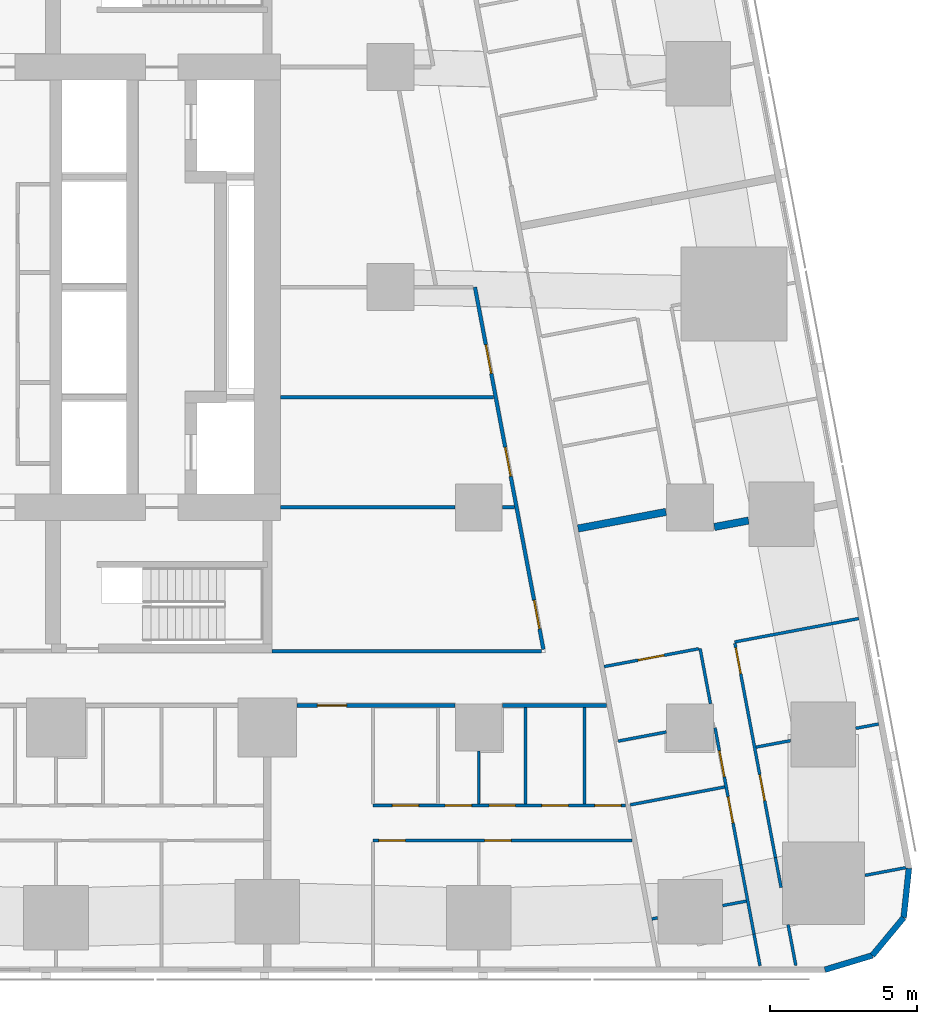
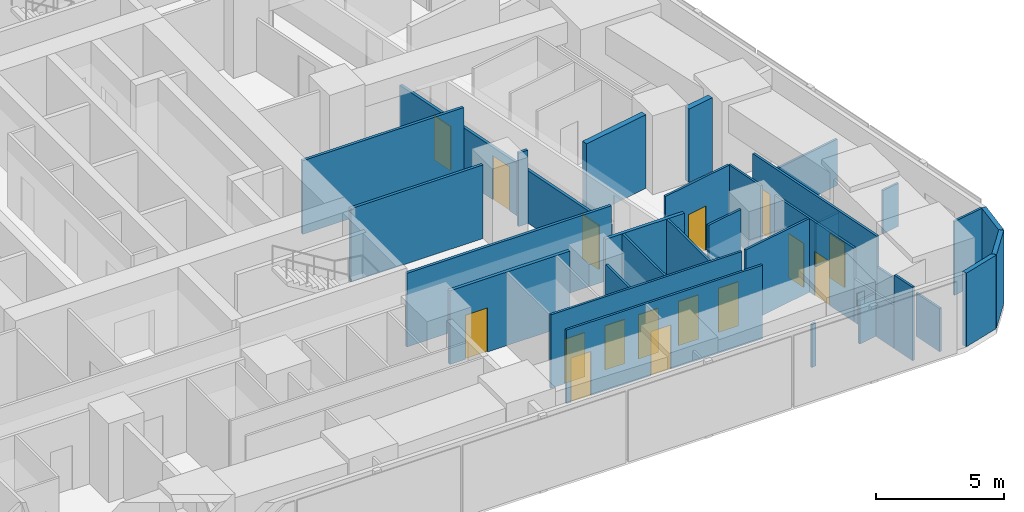
# One storey, part 6 of 15: 33 walls, 16 doors, 16 openings.
"""IFC4 building model written with IfcOpenShell, lengths in metres."""

from ifc_helpers import new_model, si_unit, direction, frame, frame_2d, origin, place, context, subcontext, project, spatial, rectangle, extrude, material, layer, layer_set, type_object, element, fill, save


model = new_model("IFC4")

# Units and contexts
model_context = context("Model", 3, precision=1e-05, world=origin(), true_north=direction((0.0, 1.0)))
body_context = subcontext(model_context, "Body", "Model", "MODEL_VIEW")
ifc_project = project(units=[si_unit("LENGTHUNIT", "METRE"), si_unit("AREAUNIT", "SQUARE_METRE"), si_unit("VOLUMEUNIT", "CUBIC_METRE"), si_unit("PLANEANGLEUNIT", "RADIAN"), si_unit("MASSUNIT", "GRAM", prefix="KILO")], contexts=[model_context])

# Site, building, storey
site_placement = place(None, origin())
site = spatial("IfcSite", under=ifc_project, at=site_placement, CompositionType="ELEMENT")
building_placement = place(site_placement, origin())
building = spatial("IfcBuilding", under=site, at=building_placement, Name="Sheger Commons Tower", CompositionType="ELEMENT")
storey_placement = place(building_placement, frame((0.0, 0.0, 77.89990234375)))
storey = spatial("IfcBuildingStorey", under=building, at=storey_placement, Name="L19", CompositionType="ELEMENT", Elevation=77.89990234375)

# Wall
ifc_material_1 = material(Name="Hollow concrete block masonry, skimmed both sides", Category="masonry")
ifc_layer_1 = layer(ifc_material_1, 0.14990234375)
ifc_layer_set_1 = layer_set([ifc_layer_1], Name="CORRIDOR WALL 150")
wall_type_1 = type_object("IfcWallType", Name="CORRIDOR WALL 150", PredefinedType="SOLIDWALL", material=ifc_layer_set_1)
wall_1_placement = place(storey_placement, frame((40.35595703125, 8.25, 0.0), z_axis=(0.0, 0.0, 1.0), x_axis=(-1.0, 0.0, 0.0)))
element("IfcWall", 1, at=wall_1_placement, inside=storey, type_object=wall_type_1, Name="Corridor wall L19", PredefinedType="SOLIDWALL", context=body_context, shape_type="SweptSolid", body=[
    extrude(rectangle(XDim=3.554931640625, YDim=0.14990234375, at=frame_2d((1.77734375, 0.0))), origin(), (0.0, 0.0, 1.0), 3.5),
])

# Wall, opening, door
wall_2_placement = place(storey_placement, frame((35.198974609375, 8.25, 0.0), z_axis=(0.0, 0.0, 1.0), x_axis=(-1.0, 0.0, 0.0)))
wall_2 = element("IfcWall", 2, at=wall_2_placement, inside=storey, type_object=wall_type_1, Name="Corridor wall L19", PredefinedType="SOLIDWALL", context=body_context, shape_type="SweptSolid", body=[
    extrude(rectangle(XDim=5.39794921875, YDim=0.14990234375, at=frame_2d((2.698974609375, 0.0))), origin(), (0.0, 0.0, 1.0), 3.5),
])
opening_1_placement = place(wall_2_placement, frame((3.698974609375, 0.0, 0.0)))
opening_1 = element("IfcOpeningElement", 3, at=opening_1_placement, cuts=wall_2, Name="Opening D1", PredefinedType="OPENING", context=body_context, shape_type="SweptSolid", body=[
    extrude(rectangle(XDim=1.0, YDim=2.10009765625, at=frame_2d((0.5, 1.050048828125))), frame((0.0, 0.0849609375, 0.0), z_axis=(0.0, -1.0, 0.0), x_axis=(1.0, 0.0, 0.0)), (0.0, 0.0, 1.0), 0.169921875),
])
ifc_material_2 = material(Name="Steel door set, fire rated", Category="steel")
door_type_1 = type_object("IfcDoorType", Name="FLAT ENTRANCE DOOR 1000x2100", OperationType="NOTDEFINED", PredefinedType="DOOR", material=ifc_material_2)
door_1_placement = place(opening_1_placement, origin())
door_1 = element("IfcDoor", 4, at=door_1_placement, inside=storey, type_object=door_type_1, Name="Flat entrance door", OperationType="SINGLE_SWING_RIGHT", OverallHeight=2.10009765625, OverallWidth=1.0, PredefinedType="DOOR", context=body_context, shape_type="SweptSolid", body=[
    extrude(rectangle(XDim=1.0, YDim=2.10009765625, at=frame_2d((0.5, 1.050048828125))), frame((0.0, 0.02490234375, 0.0), z_axis=(0.0, -1.0, 0.0), x_axis=(1.0, 0.0, 0.0)), (0.0, 0.0, 1.0), 0.050048828125),
])
fill(opening_1, door_1)

# Walls
ifc_material_3 = material(Name="Dense concrete block masonry, plastered both sides (separating wall between flats)", Category="masonry")
ifc_layer_2 = layer(ifc_material_3, 0.25)
ifc_layer_set_2 = layer_set([ifc_layer_2], Name="DEMISING WALL 250")
wall_type_2 = type_object("IfcWallType", Name="DEMISING WALL 250", PredefinedType="SOLIDWALL", material=ifc_layer_set_2)
wall_3_placement = place(storey_placement, frame((45.18994140625, 14.550048828125, 0.0), z_axis=(0.0, 0.0, 1.0), x_axis=(-0.982666604435, -0.185381618634, 0.0)))
element("IfcWall", 5, at=wall_3_placement, inside=storey, type_object=wall_type_2, Name="Demising wall L19", PredefinedType="SOLIDWALL", context=body_context, shape_type="SweptSolid", body=[
    extrude(rectangle(XDim=1.1865234375, YDim=0.25, at=frame_2d((0.59326171875, 0.0))), origin(), (0.0, 0.0, 1.0), 3.5),
])
wall_4_placement = place(storey_placement, frame((42.3759765625, 14.843994140625, 0.0), z_axis=(0.0, 0.0, 1.0), x_axis=(-0.982636286056, -0.185542257522, 0.0)))
element("IfcWall", 6, at=wall_4_placement, inside=storey, type_object=wall_type_2, Name="Demising wall L19", PredefinedType="SOLIDWALL", context=body_context, shape_type="SweptSolid", body=[
    extrude(rectangle(XDim=3.044921875, YDim=0.25, at=frame_2d((1.5224609375, 0.0))), origin(), (0.0, 0.0, 1.0), 3.5),
])
ifc_material_4 = material(Name="Rendered concrete block masonry, dark grey", Category="masonry")
ifc_layer_3 = layer(ifc_material_4, 0.199951171875)
ifc_layer_set_3 = layer_set([ifc_layer_3], Name="FACADE WALL 200")
wall_type_3 = type_object("IfcWallType", Name="FACADE WALL 200", PredefinedType="SOLIDWALL", material=ifc_layer_set_3)
wall_5_placement = place(storey_placement, frame((47.791015625, -0.75, 0.0), z_axis=(0.0, 0.0, 1.0), x_axis=(0.957455232626, 0.288581838509, 0.0)))
element("IfcWall", 7, at=wall_5_placement, inside=storey, type_object=wall_type_3, Name="Facade wall L19", PredefinedType="SOLIDWALL", context=body_context, shape_type="SweptSolid", body=[
    extrude(rectangle(XDim=1.687744140625, YDim=0.199951171875, at=frame_2d((0.84375, 0.0))), origin(), (0.0, 0.0, 1.0), 3.5),
])
wall_6_placement = place(storey_placement, frame((49.406982421875, -0.262939453125, 0.0), z_axis=(0.0, 0.0, 1.0), x_axis=(0.638042593423, 0.770001070764, 0.0)))
element("IfcWall", 8, at=wall_6_placement, inside=storey, type_object=wall_type_3, Name="Facade wall L19", PredefinedType="SOLIDWALL", context=body_context, shape_type="SweptSolid", body=[
    extrude(rectangle(XDim=1.672607421875, YDim=0.199951171875, at=frame_2d((0.83642578125, 0.0))), origin(), (0.0, 0.0, 1.0), 3.5),
])
wall_7_placement = place(storey_placement, frame((50.47412109375, 1.02490234375, 0.0), z_axis=(0.0, 0.0, 1.0), x_axis=(0.106047815515, 0.994361031429, 0.0)))
element("IfcWall", 9, at=wall_7_placement, inside=storey, type_object=wall_type_3, Name="Facade wall L19", PredefinedType="SOLIDWALL", context=body_context, shape_type="SweptSolid", body=[
    extrude(rectangle(XDim=1.6875, YDim=0.199951171875, at=frame_2d((0.84375, 0.0))), origin(), (0.0, 0.0, 1.0), 3.5),
])

# Wall, openings, doors
ifc_material_5 = material(Name="Gypsum board on steel studs", Category="steel")
ifc_layer_4 = layer(ifc_material_5, 0.10009765625)
ifc_layer_set_4 = layer_set([ifc_layer_4], Name="PARTITION 100")
wall_type_4 = type_object("IfcWallType", Name="PARTITION 100", PredefinedType="PARTITIONING", material=ifc_layer_set_4)
wall_8_placement = place(storey_placement, frame((41.22900390625, 3.64990234375, 0.0), z_axis=(0.0, 0.0, 1.0), x_axis=(-1.0, 0.0, 0.0)))
wall_8 = element("IfcWall", 10, at=wall_8_placement, inside=storey, type_object=wall_type_4, Name="Partition L19", PredefinedType="PARTITIONING", context=body_context, shape_type="SweptSolid", body=[
    extrude(rectangle(XDim=8.8291015625, YDim=0.10009765625, at=frame_2d((4.41455078125, 0.0))), origin(), (0.0, 0.0, 1.0), 3.5),
])
opening_2_placement = place(wall_8_placement, frame((7.72900390625, 0.0, 0.0)))
opening_2 = element("IfcOpeningElement", 11, at=opening_2_placement, cuts=wall_8, Name="Opening D2", PredefinedType="OPENING", context=body_context, shape_type="SweptSolid", body=[
    extrude(rectangle(XDim=0.89990234375, YDim=2.10009765625, at=frame_2d((0.449951171875, 1.050048828125))), frame((0.0, 0.06005859375, 0.0), z_axis=(0.0, -1.0, 0.0), x_axis=(1.0, 0.0, 0.0)), (0.0, 0.0, 1.0), 0.1201171875),
])
opening_3_placement = place(wall_8_placement, frame((4.12890625, 0.0, 0.0)))
opening_3 = element("IfcOpeningElement", 12, at=opening_3_placement, cuts=wall_8, Name="Opening D2", PredefinedType="OPENING", context=body_context, shape_type="SweptSolid", body=[
    extrude(rectangle(XDim=0.89990234375, YDim=2.10009765625, at=frame_2d((0.449951171875, 1.050048828125))), frame((0.0, 0.06005859375, 0.0), z_axis=(0.0, -1.0, 0.0), x_axis=(1.0, 0.0, 0.0)), (0.0, 0.0, 1.0), 0.1201171875),
])
ifc_material_6 = material(Name="Timber door set", Category="wood")
door_type_2 = type_object("IfcDoorType", Name="INTERNAL DOOR 900x2100", OperationType="NOTDEFINED", PredefinedType="DOOR", material=ifc_material_6)
door_2_placement = place(opening_2_placement, origin())
door_2 = element("IfcDoor", 13, at=door_2_placement, inside=storey, type_object=door_type_2, Name="Main bedroom door", OperationType="SINGLE_SWING_RIGHT", OverallHeight=2.10009765625, OverallWidth=0.89990234375, PredefinedType="DOOR", context=body_context, shape_type="SweptSolid", body=[
    extrude(rectangle(XDim=0.89990234375, YDim=2.10009765625, at=frame_2d((0.449951171875, 1.050048828125))), frame((0.0, 0.02490234375, 0.0), z_axis=(0.0, -1.0, 0.0), x_axis=(1.0, 0.0, 0.0)), (0.0, 0.0, 1.0), 0.050048828125),
])
fill(opening_2, door_2)
door_3_placement = place(opening_3_placement, origin())
door_3 = element("IfcDoor", 14, at=door_3_placement, inside=storey, type_object=door_type_2, Name="Bedroom 2 door", OperationType="SINGLE_SWING_RIGHT", OverallHeight=2.10009765625, OverallWidth=0.89990234375, PredefinedType="DOOR", context=body_context, shape_type="SweptSolid", body=[
    extrude(rectangle(XDim=0.89990234375, YDim=2.10009765625, at=frame_2d((0.449951171875, 1.050048828125))), frame((0.0, 0.02490234375, 0.0), z_axis=(0.0, -1.0, 0.0), x_axis=(1.0, 0.0, 0.0)), (0.0, 0.0, 1.0), 0.050048828125),
])
fill(opening_3, door_3)

wall_9_placement = place(storey_placement, frame((41.001953125, 4.85009765625, 0.0), z_axis=(0.0, 0.0, 1.0), x_axis=(-1.0, 0.0, 0.0)))
wall_9 = element("IfcWall", 15, at=wall_9_placement, inside=storey, type_object=wall_type_4, Name="Partition L19", PredefinedType="PARTITIONING", context=body_context, shape_type="SweptSolid", body=[
    extrude(rectangle(XDim=8.60205078125, YDim=0.10009765625, at=frame_2d((4.301025390625, 0.0))), origin(), (0.0, 0.0, 1.0), 3.5),
])
opening_4_placement = place(wall_9_placement, frame((7.047119140625, 0.0, 0.0)))
opening_4 = element("IfcOpeningElement", 16, at=opening_4_placement, cuts=wall_9, Name="Opening D2", PredefinedType="OPENING", context=body_context, shape_type="SweptSolid", body=[
    extrude(rectangle(XDim=0.89990234375, YDim=2.10009765625, at=frame_2d((0.449951171875, 1.050048828125))), frame((0.0, 0.06005859375, 0.0), z_axis=(0.0, -1.0, 0.0), x_axis=(1.0, 0.0, 0.0)), (0.0, 0.0, 1.0), 0.1201171875),
])
opening_5_placement = place(wall_9_placement, frame((3.751953125, 0.0, 0.0)))
opening_5 = element("IfcOpeningElement", 17, at=opening_5_placement, cuts=wall_9, Name="Opening D2", PredefinedType="OPENING", context=body_context, shape_type="SweptSolid", body=[
    extrude(rectangle(XDim=0.89990234375, YDim=2.10009765625, at=frame_2d((0.449951171875, 1.050048828125))), frame((0.0, 0.06005859375, 0.0), z_axis=(0.0, -1.0, 0.0), x_axis=(1.0, 0.0, 0.0)), (0.0, 0.0, 1.0), 0.1201171875),
])
opening_6_placement = place(wall_9_placement, frame((0.14990234375, 0.0, 0.0)))
opening_6 = element("IfcOpeningElement", 18, at=opening_6_placement, cuts=wall_9, Name="Opening D2", PredefinedType="OPENING", context=body_context, shape_type="SweptSolid", body=[
    extrude(rectangle(XDim=0.89990234375, YDim=2.10009765625, at=frame_2d((0.449951171875, 1.050048828125))), frame((0.0, 0.06005859375, 0.0), z_axis=(0.0, -1.0, 0.0), x_axis=(1.0, 0.0, 0.0)), (0.0, 0.0, 1.0), 0.1201171875),
])
opening_7_placement = place(wall_9_placement, frame((5.2470703125, 0.0, 0.0)))
opening_7 = element("IfcOpeningElement", 19, at=opening_7_placement, cuts=wall_9, Name="Opening D2", PredefinedType="OPENING", context=body_context, shape_type="SweptSolid", body=[
    extrude(rectangle(XDim=0.89990234375, YDim=2.10009765625, at=frame_2d((0.449951171875, 1.050048828125))), frame((0.0, 0.06005859375, 0.0), z_axis=(0.0, -1.0, 0.0), x_axis=(1.0, 0.0, 0.0)), (0.0, 0.0, 1.0), 0.1201171875),
])
opening_8_placement = place(wall_9_placement, frame((1.951904296875, 0.0, 0.0)))
opening_8 = element("IfcOpeningElement", 20, at=opening_8_placement, cuts=wall_9, Name="Opening D2", PredefinedType="OPENING", context=body_context, shape_type="SweptSolid", body=[
    extrude(rectangle(XDim=0.89990234375, YDim=2.10009765625, at=frame_2d((0.449951171875, 1.050048828125))), frame((0.0, 0.06005859375, 0.0), z_axis=(0.0, -1.0, 0.0), x_axis=(1.0, 0.0, 0.0)), (0.0, 0.0, 1.0), 0.1201171875),
])
door_4_placement = place(opening_4_placement, origin())
door_4 = element("IfcDoor", 21, at=door_4_placement, inside=storey, type_object=door_type_2, Name="Bathroom door", OperationType="SINGLE_SWING_LEFT", OverallHeight=2.10009765625, OverallWidth=0.89990234375, PredefinedType="DOOR", context=body_context, shape_type="SweptSolid", body=[
    extrude(rectangle(XDim=0.89990234375, YDim=2.10009765625, at=frame_2d((0.449951171875, 1.050048828125))), frame((0.0, 0.02490234375, 0.0), z_axis=(0.0, -1.0, 0.0), x_axis=(1.0, 0.0, 0.0)), (0.0, 0.0, 1.0), 0.050048828125),
])
fill(opening_4, door_4)
door_5_placement = place(opening_5_placement, origin())
door_5 = element("IfcDoor", 22, at=door_5_placement, inside=storey, type_object=door_type_2, Name="Shower room door", OperationType="SINGLE_SWING_LEFT", OverallHeight=2.10009765625, OverallWidth=0.89990234375, PredefinedType="DOOR", context=body_context, shape_type="SweptSolid", body=[
    extrude(rectangle(XDim=0.89990234375, YDim=2.10009765625, at=frame_2d((0.449951171875, 1.050048828125))), frame((0.0, 0.02490234375, 0.0), z_axis=(0.0, -1.0, 0.0), x_axis=(1.0, 0.0, 0.0)), (0.0, 0.0, 1.0), 0.050048828125),
])
fill(opening_5, door_5)
door_6_placement = place(opening_6_placement, origin())
door_6 = element("IfcDoor", 23, at=door_6_placement, inside=storey, type_object=door_type_2, Name="Laundry room door", OperationType="SINGLE_SWING_RIGHT", OverallHeight=2.10009765625, OverallWidth=0.89990234375, PredefinedType="DOOR", context=body_context, shape_type="SweptSolid", body=[
    extrude(rectangle(XDim=0.89990234375, YDim=2.10009765625, at=frame_2d((0.449951171875, 1.050048828125))), frame((0.0, 0.02490234375, 0.0), z_axis=(0.0, -1.0, 0.0), x_axis=(1.0, 0.0, 0.0)), (0.0, 0.0, 1.0), 0.050048828125),
])
fill(opening_6, door_6)
door_7_placement = place(opening_7_placement, origin())
door_7 = element("IfcDoor", 24, at=door_7_placement, inside=storey, type_object=door_type_2, Name="Store door", OperationType="SINGLE_SWING_RIGHT", OverallHeight=2.10009765625, OverallWidth=0.89990234375, PredefinedType="DOOR", context=body_context, shape_type="SweptSolid", body=[
    extrude(rectangle(XDim=0.89990234375, YDim=2.10009765625, at=frame_2d((0.449951171875, 1.050048828125))), frame((0.0, 0.02490234375, 0.0), z_axis=(0.0, -1.0, 0.0), x_axis=(1.0, 0.0, 0.0)), (0.0, 0.0, 1.0), 0.050048828125),
])
fill(opening_7, door_7)
door_8_placement = place(opening_8_placement, origin())
door_8 = element("IfcDoor", 25, at=door_8_placement, inside=storey, type_object=door_type_2, Name="Store door", OperationType="SINGLE_SWING_RIGHT", OverallHeight=2.10009765625, OverallWidth=0.89990234375, PredefinedType="DOOR", context=body_context, shape_type="SweptSolid", body=[
    extrude(rectangle(XDim=0.89990234375, YDim=2.10009765625, at=frame_2d((0.449951171875, 1.050048828125))), frame((0.0, 0.02490234375, 0.0), z_axis=(0.0, -1.0, 0.0), x_axis=(1.0, 0.0, 0.0)), (0.0, 0.0, 1.0), 0.050048828125),
])
fill(opening_8, door_8)

# Walls
wall_10_placement = place(storey_placement, frame((36.0, 4.89990234375, 0.0), z_axis=(0.0, 0.0, 1.0), x_axis=(0.0, 1.0, 0.0)))
element("IfcWall", 26, at=wall_10_placement, inside=storey, type_object=wall_type_4, Name="Partition L19", PredefinedType="PARTITIONING", context=body_context, shape_type="SweptSolid", body=[
    extrude(rectangle(XDim=1.799072265625, YDim=0.10009765625, at=frame_2d((0.8994140625, 0.0))), origin(), (0.0, 0.0, 1.0), 3.5),
])
for number, where, z_axis, x_axis, name in (
    (27, (39.60009765625, 4.89990234375, 0.0), (0.0, 0.0, 1.0), (0.0, 1.0, 0.0), "Partition L19"),
    (28, (37.60009765625, 4.89990234375, 0.0), (0.0, 0.0, 1.0), (0.0, 1.0, 0.0), "Partition L19"),
):
    element("IfcWall", number, at=place(storey_placement, frame(where, z_axis=z_axis, x_axis=x_axis)), inside=storey, type_object=wall_type_4, Name=name, PredefinedType="PARTITIONING", context=body_context, shape_type="SweptSolid", body=[
        extrude(rectangle(XDim=3.275146484375, YDim=0.10009765625, at=frame_2d((1.6376953125, 0.0))), origin(), (0.0, 0.0, 1.0), 3.5),
    ])

# Wall, openings, doors
wall_11_placement = place(storey_placement, frame((44.72705078125, 10.365966796875, 0.0), z_axis=(0.0, 0.0, 1.0), x_axis=(0.185678775129, -0.982610498858, 0.0)))
wall_11 = element("IfcWall", 29, at=wall_11_placement, inside=storey, type_object=wall_type_4, Name="Partition L19", PredefinedType="PARTITIONING", context=body_context, shape_type="SweptSolid", body=[
    extrude(rectangle(XDim=7.421142578125, YDim=0.10009765625, at=frame_2d((3.71044921875, 0.0))), origin(), (0.0, 0.0, 1.0), 3.5),
])
opening_9_placement = place(wall_11_placement, frame((0.15087890625, 0.0, 0.0)))
opening_9 = element("IfcOpeningElement", 30, at=opening_9_placement, cuts=wall_11, Name="Opening D2", PredefinedType="OPENING", context=body_context, shape_type="SweptSolid", body=[
    extrude(rectangle(XDim=0.89990234375, YDim=2.10009765625, at=frame_2d((0.449951171875, 1.050048828125))), frame((0.0, 0.06005859375, 0.0), z_axis=(0.0, -1.0, 0.0), x_axis=(1.0, 0.0, 0.0)), (0.0, 0.0, 1.0), 0.1201171875),
])
opening_10_placement = place(wall_11_placement, frame((4.550048828125, 0.0, 0.0)))
opening_10 = element("IfcOpeningElement", 31, at=opening_10_placement, cuts=wall_11, Name="Opening D2", PredefinedType="OPENING", context=body_context, shape_type="SweptSolid", body=[
    extrude(rectangle(XDim=0.89990234375, YDim=2.10009765625, at=frame_2d((0.449951171875, 1.050048828125))), frame((0.0, 0.06005859375, 0.0), z_axis=(0.0, -1.0, 0.0), x_axis=(1.0, 0.0, 0.0)), (0.0, 0.0, 1.0), 0.1201171875),
])
door_9_placement = place(opening_9_placement, origin())
door_9 = element("IfcDoor", 32, at=door_9_placement, inside=storey, type_object=door_type_2, Name="Main bedroom door", OperationType="SINGLE_SWING_LEFT", OverallHeight=2.10009765625, OverallWidth=0.89990234375, PredefinedType="DOOR", context=body_context, shape_type="SweptSolid", body=[
    extrude(rectangle(XDim=0.89990234375, YDim=2.10009765625, at=frame_2d((0.449951171875, 1.050048828125))), frame((0.0, 0.02490234375, 0.0), z_axis=(0.0, -1.0, 0.0), x_axis=(1.0, 0.0, 0.0)), (0.0, 0.0, 1.0), 0.050048828125),
])
fill(opening_9, door_9)
door_10_placement = place(opening_10_placement, origin())
door_10 = element("IfcDoor", 33, at=door_10_placement, inside=storey, type_object=door_type_2, Name="Bedroom 2 door", OperationType="SINGLE_SWING_LEFT", OverallHeight=2.10009765625, OverallWidth=0.89990234375, PredefinedType="DOOR", context=body_context, shape_type="SweptSolid", body=[
    extrude(rectangle(XDim=0.89990234375, YDim=2.10009765625, at=frame_2d((0.449951171875, 1.050048828125))), frame((0.0, 0.02490234375, 0.0), z_axis=(0.0, -1.0, 0.0), x_axis=(1.0, 0.0, 0.0)), (0.0, 0.0, 1.0), 0.050048828125),
])
fill(opening_10, door_10)

# Walls
wall_12_placement = place(storey_placement, frame((46.10498046875, 3.073974609375, 0.0), z_axis=(0.0, 0.0, 1.0), x_axis=(0.185897769544, -0.982569091351, 0.0)))
element("IfcWall", 34, at=wall_12_placement, inside=storey, type_object=wall_type_4, Name="Partition L19", PredefinedType="PARTITIONING", context=body_context, shape_type="SweptSolid", body=[
    extrude(rectangle(XDim=1.044189453125, YDim=0.10009765625, at=frame_2d((0.52197265625, 0.0))), origin(), (0.0, 0.0, 1.0), 2.050048828125),
])
wall_13_placement = place(storey_placement, frame((46.537109375, 0.787109375, 0.0), z_axis=(0.0, 0.0, 1.0), x_axis=(0.185348284603, -0.982672892368, 0.0)))
element("IfcWall", 35, at=wall_13_placement, inside=storey, type_object=wall_type_4, Name="Partition L19", PredefinedType="PARTITIONING", context=body_context, shape_type="SweptSolid", body=[
    extrude(rectangle(XDim=1.418701171875, YDim=0.10009765625, at=frame_2d((0.70947265625, 0.0))), origin(), (0.0, 0.0, 1.0), 2.050048828125),
])
wall_14_placement = place(storey_placement, frame((43.5390625, 10.19189453125, 0.0), z_axis=(0.0, 0.0, 1.0), x_axis=(0.185366049966, -0.982669541362, 0.0)))
element("IfcWall", 36, at=wall_14_placement, inside=storey, type_object=wall_type_4, Name="Partition L19", PredefinedType="PARTITIONING", context=body_context, shape_type="SweptSolid", body=[
    extrude(rectangle(XDim=1.9150390625, YDim=0.10009765625, at=frame_2d((0.95751953125, 0.0))), origin(), (0.0, 0.0, 1.0), 3.5),
])

# Wall, openings, doors
wall_15_placement = place(storey_placement, frame((44.049072265625, 7.489990234375, 0.0), z_axis=(0.0, 0.0, 1.0), x_axis=(0.185666332607, -0.982612849975, 0.0)))
wall_15 = element("IfcWall", 37, at=wall_15_placement, inside=storey, type_object=wall_type_4, Name="Partition L19", PredefinedType="PARTITIONING", context=body_context, shape_type="SweptSolid", body=[
    extrude(rectangle(XDim=4.74951171875, YDim=0.10009765625, at=frame_2d((2.374755859375, 0.0))), origin(), (0.0, 0.0, 1.0), 3.5),
])
opening_11_placement = place(wall_15_placement, frame((0.800048828125, 0.0, 0.0)))
opening_11 = element("IfcOpeningElement", 38, at=opening_11_placement, cuts=wall_15, Name="Opening D2", PredefinedType="OPENING", context=body_context, shape_type="SweptSolid", body=[
    extrude(rectangle(XDim=0.89990234375, YDim=2.10009765625, at=frame_2d((0.449951171875, 1.050048828125))), frame((0.0, 0.06005859375, 0.0), z_axis=(0.0, -1.0, 0.0), x_axis=(1.0, 0.0, 0.0)), (0.0, 0.0, 1.0), 0.1201171875),
])
opening_12_placement = place(wall_15_placement, frame((2.39599609375, 0.0, 0.0)))
opening_12 = element("IfcOpeningElement", 39, at=opening_12_placement, cuts=wall_15, Name="Opening D2", PredefinedType="OPENING", context=body_context, shape_type="SweptSolid", body=[
    extrude(rectangle(XDim=0.89990234375, YDim=2.10009765625, at=frame_2d((0.449951171875, 1.050048828125))), frame((0.0, 0.06005859375, 0.0), z_axis=(0.0, -1.0, 0.0), x_axis=(1.0, 0.0, 0.0)), (0.0, 0.0, 1.0), 0.1201171875),
])
door_11_placement = place(opening_11_placement, origin())
door_11 = element("IfcDoor", 40, at=door_11_placement, inside=storey, type_object=door_type_2, Name="Bathroom door", OperationType="SINGLE_SWING_LEFT", OverallHeight=2.10009765625, OverallWidth=0.89990234375, PredefinedType="DOOR", context=body_context, shape_type="SweptSolid", body=[
    extrude(rectangle(XDim=0.89990234375, YDim=2.10009765625, at=frame_2d((0.449951171875, 1.050048828125))), frame((0.0, 0.02490234375, 0.0), z_axis=(0.0, -1.0, 0.0), x_axis=(1.0, 0.0, 0.0)), (0.0, 0.0, 1.0), 0.050048828125),
])
fill(opening_11, door_11)
door_12_placement = place(opening_12_placement, origin())
door_12 = element("IfcDoor", 41, at=door_12_placement, inside=storey, type_object=door_type_2, Name="Store door", OperationType="SINGLE_SWING_RIGHT", OverallHeight=2.10009765625, OverallWidth=0.89990234375, PredefinedType="DOOR", context=body_context, shape_type="SweptSolid", body=[
    extrude(rectangle(XDim=0.89990234375, YDim=2.10009765625, at=frame_2d((0.449951171875, 1.050048828125))), frame((0.0, 0.02490234375, 0.0), z_axis=(0.0, -1.0, 0.0), x_axis=(1.0, 0.0, 0.0)), (0.0, 0.0, 1.0), 0.050048828125),
])
fill(opening_12, door_12)

# Walls
wall_16_placement = place(storey_placement, frame((44.930908203125, 2.822998046875, 0.0), z_axis=(0.0, 0.0, 1.0), x_axis=(0.185631845838, -0.982619365681, 0.0)))
element("IfcWall", 42, at=wall_16_placement, inside=storey, type_object=wall_type_4, Name="Partition L19", PredefinedType="PARTITIONING", context=body_context, shape_type="SweptSolid", body=[
    extrude(rectangle(XDim=2.40283203125, YDim=0.10009765625, at=frame_2d((1.201416015625, 0.0))), origin(), (0.0, 0.0, 1.0), 2.050048828125),
])
wall_17_placement = place(storey_placement, frame((45.376953125, 0.4619140625, 0.0), z_axis=(0.0, 0.0, 1.0), x_axis=(0.185513480919, -0.982641719243, 0.0)))
element("IfcWall", 43, at=wall_17_placement, inside=storey, type_object=wall_type_4, Name="Partition L19", PredefinedType="PARTITIONING", context=body_context, shape_type="SweptSolid", body=[
    extrude(rectangle(XDim=1.094970703125, YDim=0.10009765625, at=frame_2d((0.54736328125, 0.0))), origin(), (0.0, 0.0, 1.0), 3.5),
])
wall_18_placement = place(storey_placement, frame((48.943115234375, 11.212890625, 0.0), z_axis=(0.0, 0.0, 1.0), x_axis=(-0.982633535512, -0.185556823879, 0.0)))
element("IfcWall", 44, at=wall_18_placement, inside=storey, type_object=wall_type_4, Name="Partition L19", PredefinedType="PARTITIONING", context=body_context, shape_type="SweptSolid", body=[
    extrude(rectangle(XDim=4.2998046875, YDim=0.10009765625, at=frame_2d((2.14990234375, 0.0))), origin(), (0.0, 0.0, 1.0), 2.2001953125),
])
wall_19_placement = place(storey_placement, frame((49.6220703125, 7.6201171875, 0.0), z_axis=(0.0, 0.0, 1.0), x_axis=(-0.982512656401, -0.186195810938, 0.0)))
element("IfcWall", 45, at=wall_19_placement, inside=storey, type_object=wall_type_4, Name="Partition L19", PredefinedType="PARTITIONING", context=body_context, shape_type="SweptSolid", body=[
    extrude(rectangle(XDim=0.7958984375, YDim=0.10009765625, at=frame_2d((0.39794921875, 0.0))), origin(), (0.0, 0.0, 1.0), 2.050048828125),
])
wall_20_placement = place(storey_placement, frame((46.6201171875, 7.052978515625, 0.0), z_axis=(0.0, 0.0, 1.0), x_axis=(-0.982749355621, -0.18494243436, 0.0)))
element("IfcWall", 46, at=wall_20_placement, inside=storey, type_object=wall_type_4, Name="Partition L19", PredefinedType="PARTITIONING", context=body_context, shape_type="SweptSolid", body=[
    extrude(rectangle(XDim=1.194580078125, YDim=0.10009765625, at=frame_2d((0.59716796875, 0.0))), origin(), (0.0, 0.0, 1.0), 2.050048828125),
])
wall_21_placement = place(storey_placement, frame((50.547119140625, 2.72607421875, 0.0), z_axis=(0.0, 0.0, 1.0), x_axis=(-0.982680053146, -0.185310315822, 0.0)))
element("IfcWall", 47, at=wall_21_placement, inside=storey, type_object=wall_type_4, Name="Partition L19", PredefinedType="PARTITIONING", context=body_context, shape_type="SweptSolid", body=[
    extrude(rectangle(XDim=1.41357421875, YDim=0.10009765625, at=frame_2d((0.706787109375, 0.0))), origin(), (0.0, 0.0, 1.0), 3.5),
])

# Wall, opening, door
wall_22_placement = place(storey_placement, frame((43.489990234375, 10.18310546875, 0.0), z_axis=(0.0, 0.0, 1.0), x_axis=(-0.982607026909, -0.185697147715, 0.0)))
wall_22 = element("IfcWall", 48, at=wall_22_placement, inside=storey, type_object=wall_type_4, Name="Partition L19", PredefinedType="PARTITIONING", context=body_context, shape_type="SweptSolid", body=[
    extrude(rectangle(XDim=3.27490234375, YDim=0.10009765625, at=frame_2d((1.637451171875, 0.0))), origin(), (0.0, 0.0, 1.0), 3.5),
])
opening_13_placement = place(wall_22_placement, frame((1.199951171875, 0.0, 0.0)))
opening_13 = element("IfcOpeningElement", 49, at=opening_13_placement, cuts=wall_22, Name="Opening D2", PredefinedType="OPENING", context=body_context, shape_type="SweptSolid", body=[
    extrude(rectangle(XDim=0.89990234375, YDim=2.10009765625, at=frame_2d((0.449951171875, 1.050048828125))), frame((0.0, 0.06005859375, 0.0), z_axis=(0.0, -1.0, 0.0), x_axis=(1.0, 0.0, 0.0)), (0.0, 0.0, 1.0), 0.1201171875),
])
door_13_placement = place(opening_13_placement, origin())
door_13 = element("IfcDoor", 50, at=door_13_placement, inside=storey, type_object=door_type_2, Name="Store door", OperationType="SINGLE_SWING_RIGHT", OverallHeight=2.10009765625, OverallWidth=0.89990234375, PredefinedType="DOOR", context=body_context, shape_type="SweptSolid", body=[
    extrude(rectangle(XDim=0.89990234375, YDim=2.10009765625, at=frame_2d((0.449951171875, 1.050048828125))), frame((0.0, 0.02490234375, 0.0), z_axis=(0.0, -1.0, 0.0), x_axis=(1.0, 0.0, 0.0)), (0.0, 0.0, 1.0), 0.050048828125),
])
fill(opening_13, door_13)

# Walls
wall_23_placement = place(storey_placement, frame((42.389892578125, 7.347900390625, 0.0), z_axis=(0.0, 0.0, 1.0), x_axis=(-0.9825976927, -0.185746532405, 0.0)))
element("IfcWall", 51, at=wall_23_placement, inside=storey, type_object=wall_type_4, Name="Partition L19", PredefinedType="PARTITIONING", context=body_context, shape_type="SweptSolid", body=[
    extrude(rectangle(XDim=1.66796875, YDim=0.10009765625, at=frame_2d((0.833984375, 0.0))), origin(), (0.0, 0.0, 1.0), 3.5),
])
wall_24_placement = place(storey_placement, frame((45.114013671875, 1.5869140625, 0.0), z_axis=(0.0, 0.0, 1.0), x_axis=(-0.982624706348, -0.185603573443, 0.0)))
element("IfcWall", 52, at=wall_24_placement, inside=storey, type_object=wall_type_4, Name="Partition L19", PredefinedType="PARTITIONING", context=body_context, shape_type="SweptSolid", body=[
    extrude(rectangle(XDim=0.818115234375, YDim=0.10009765625, at=frame_2d((0.4091796875, 0.0))), origin(), (0.0, 0.0, 1.0), 2.050048828125),
])
wall_25_placement = place(storey_placement, frame((42.090087890625, 1.01611328125, 0.0), z_axis=(0.0, 0.0, 1.0), x_axis=(-0.982208563973, -0.187793335502, 0.0)))
element("IfcWall", 53, at=wall_25_placement, inside=storey, type_object=wall_type_4, Name="Partition L19", PredefinedType="PARTITIONING", context=body_context, shape_type="SweptSolid", body=[
    extrude(rectangle(XDim=0.197509765625, YDim=0.10009765625, at=frame_2d((0.0986328125, 0.0))), origin(), (0.0, 0.0, 1.0), 2.050048828125),
])
wall_26_placement = place(storey_placement, frame((44.37890625, 5.47412109375, 0.0), z_axis=(0.0, 0.0, 1.0), x_axis=(-0.982607026909, -0.185697147715, 0.0)))
element("IfcWall", 54, at=wall_26_placement, inside=storey, type_object=wall_type_4, Name="Partition L19", PredefinedType="PARTITIONING", context=body_context, shape_type="SweptSolid", body=[
    extrude(rectangle(XDim=3.27490234375, YDim=0.10009765625, at=frame_2d((1.637451171875, 0.0))), origin(), (0.0, 0.0, 1.0), 3.5),
])
ifc_material_7 = material(Name="Gypsum board on steel studs, two layers each side, fire rated", Category="steel")
ifc_layer_5 = layer(ifc_material_7, 0.125)
ifc_layer_set_5 = layer_set([ifc_layer_5], Name="SERVICE WALL 125")
wall_type_5 = type_object("IfcWallType", Name="SERVICE WALL 125", PredefinedType="PARTITIONING", material=ifc_layer_set_5)
wall_27_placement = place(storey_placement, frame((28.949951171875, 10.10009765625, 0.0), z_axis=(0.0, 0.0, 1.0), x_axis=(1.0, 0.0, 0.0)))
element("IfcWall", 55, at=wall_27_placement, inside=storey, type_object=wall_type_5, Name="Service room wall L19", PredefinedType="PARTITIONING", context=body_context, shape_type="SweptSolid", body=[
    extrude(rectangle(XDim=9.18798828125, YDim=0.125, at=frame_2d((4.593994140625, 0.0))), origin(), (0.0, 0.0, 1.0), 3.5),
])

# Wall, openings, doors
wall_28_placement = place(storey_placement, frame((38.201904296875, 10.1630859375, 0.0), z_axis=(0.0, 0.0, 1.0), x_axis=(-0.185645577403, 0.982616771479, 0.0)))
wall_28 = element("IfcWall", 56, at=wall_28_placement, inside=storey, type_object=wall_type_5, Name="Service room wall L19", PredefinedType="PARTITIONING", context=body_context, shape_type="SweptSolid", body=[
    extrude(rectangle(XDim=12.55517578125, YDim=0.125, at=frame_2d((6.277587890625, 0.0))), origin(), (0.0, 0.0, 1.0), 2.5),
])
opening_14_placement = place(wall_28_placement, frame((0.7080078125, 0.0, 0.0)))
opening_14 = element("IfcOpeningElement", 57, at=opening_14_placement, cuts=wall_28, Name="Opening D4", PredefinedType="OPENING", context=body_context, shape_type="SweptSolid", body=[
    extrude(rectangle(XDim=1.0, YDim=2.10009765625, at=frame_2d((0.5, 1.050048828125))), frame((0.0, 0.072509765625, 0.0), z_axis=(0.0, -1.0, 0.0), x_axis=(1.0, 0.0, 0.0)), (0.0, 0.0, 1.0), 0.14501953125),
])
opening_15_placement = place(wall_28_placement, frame((6.0, 0.0, 0.0)))
opening_15 = element("IfcOpeningElement", 58, at=opening_15_placement, cuts=wall_28, Name="Opening D4", PredefinedType="OPENING", context=body_context, shape_type="SweptSolid", body=[
    extrude(rectangle(XDim=1.0, YDim=2.10009765625, at=frame_2d((0.5, 1.050048828125))), frame((0.0, 0.072509765625, 0.0), z_axis=(0.0, -1.0, 0.0), x_axis=(1.0, 0.0, 0.0)), (0.0, 0.0, 1.0), 0.14501953125),
])
opening_16_placement = place(wall_28_placement, frame((9.56201171875, 0.0, 0.0)))
opening_16 = element("IfcOpeningElement", 59, at=opening_16_placement, cuts=wall_28, Name="Opening D4", PredefinedType="OPENING", context=body_context, shape_type="SweptSolid", body=[
    extrude(rectangle(XDim=1.0, YDim=2.10009765625, at=frame_2d((0.5, 1.050048828125))), frame((0.0, 0.072509765625, 0.0), z_axis=(0.0, -1.0, 0.0), x_axis=(1.0, 0.0, 0.0)), (0.0, 0.0, 1.0), 0.14501953125),
])
ifc_material_8 = material(Name="Steel door set, fire rated", Category="steel")
door_type_3 = type_object("IfcDoorType", Name="SERVICE DOOR 1000x2100", OperationType="NOTDEFINED", PredefinedType="DOOR", material=ifc_material_8)
door_14_placement = place(opening_14_placement, origin())
door_14 = element("IfcDoor", 60, at=door_14_placement, inside=storey, type_object=door_type_3, Name="Residents' study room door", OperationType="SINGLE_SWING_LEFT", OverallHeight=2.10009765625, OverallWidth=1.0, PredefinedType="DOOR", context=body_context, shape_type="SweptSolid", body=[
    extrude(rectangle(XDim=1.0, YDim=2.10009765625, at=frame_2d((0.5, 1.050048828125))), frame((0.0, 0.02490234375, 0.0), z_axis=(0.0, -1.0, 0.0), x_axis=(1.0, 0.0, 0.0)), (0.0, 0.0, 1.0), 0.050048828125),
])
fill(opening_14, door_14)
door_15_placement = place(opening_15_placement, origin())
door_15 = element("IfcDoor", 61, at=door_15_placement, inside=storey, type_object=door_type_3, Name="Residents' hobby room door", OperationType="SINGLE_SWING_LEFT", OverallHeight=2.10009765625, OverallWidth=1.0, PredefinedType="DOOR", context=body_context, shape_type="SweptSolid", body=[
    extrude(rectangle(XDim=1.0, YDim=2.10009765625, at=frame_2d((0.5, 1.050048828125))), frame((0.0, 0.02490234375, 0.0), z_axis=(0.0, -1.0, 0.0), x_axis=(1.0, 0.0, 0.0)), (0.0, 0.0, 1.0), 0.050048828125),
])
fill(opening_15, door_15)
door_16_placement = place(opening_16_placement, origin())
door_16 = element("IfcDoor", 62, at=door_16_placement, inside=storey, type_object=door_type_3, Name="Bicycle and pram store door", OperationType="SINGLE_SWING_LEFT", OverallHeight=2.10009765625, OverallWidth=1.0, PredefinedType="DOOR", context=body_context, shape_type="SweptSolid", body=[
    extrude(rectangle(XDim=1.0, YDim=2.10009765625, at=frame_2d((0.5, 1.050048828125))), frame((0.0, 0.02490234375, 0.0), z_axis=(0.0, -1.0, 0.0), x_axis=(1.0, 0.0, 0.0)), (0.0, 0.0, 1.0), 0.050048828125),
])
fill(opening_16, door_16)

# Walls
wall_29_placement = place(storey_placement, frame((29.25, 15.0, 0.0), z_axis=(0.0, 0.0, 1.0), x_axis=(1.0, 0.0, 0.0)))
element("IfcWall", 63, at=wall_29_placement, inside=storey, type_object=wall_type_5, Name="Service room wall L19", PredefinedType="PARTITIONING", context=body_context, shape_type="SweptSolid", body=[
    extrude(rectangle(XDim=5.948974609375, YDim=0.125, at=frame_2d((2.974609375, 0.0))), origin(), (0.0, 0.0, 1.0), 3.5),
])
wall_30_placement = place(storey_placement, frame((36.801025390625, 15.0, 0.0), z_axis=(0.0, 0.0, 1.0), x_axis=(1.0, 0.0, 0.0)))
element("IfcWall", 64, at=wall_30_placement, inside=storey, type_object=wall_type_5, Name="Service room wall L19", PredefinedType="PARTITIONING", context=body_context, shape_type="SweptSolid", body=[
    extrude(rectangle(XDim=0.411865234375, YDim=0.125, at=frame_2d((0.2060546875, 0.0))), origin(), (0.0, 0.0, 1.0), 3.5),
])
wall_31_placement = place(storey_placement, frame((29.25, 18.75, 0.0), z_axis=(0.0, 0.0, 1.0), x_axis=(1.0, 0.0, 0.0)))
element("IfcWall", 65, at=wall_31_placement, inside=storey, type_object=wall_type_5, Name="Service room wall L19", PredefinedType="PARTITIONING", context=body_context, shape_type="SweptSolid", body=[
    extrude(rectangle(XDim=7.25390625, YDim=0.125, at=frame_2d((3.626953125, 0.0))), origin(), (0.0, 0.0, 1.0), 3.5),
])

save(model, "model.ifc")
